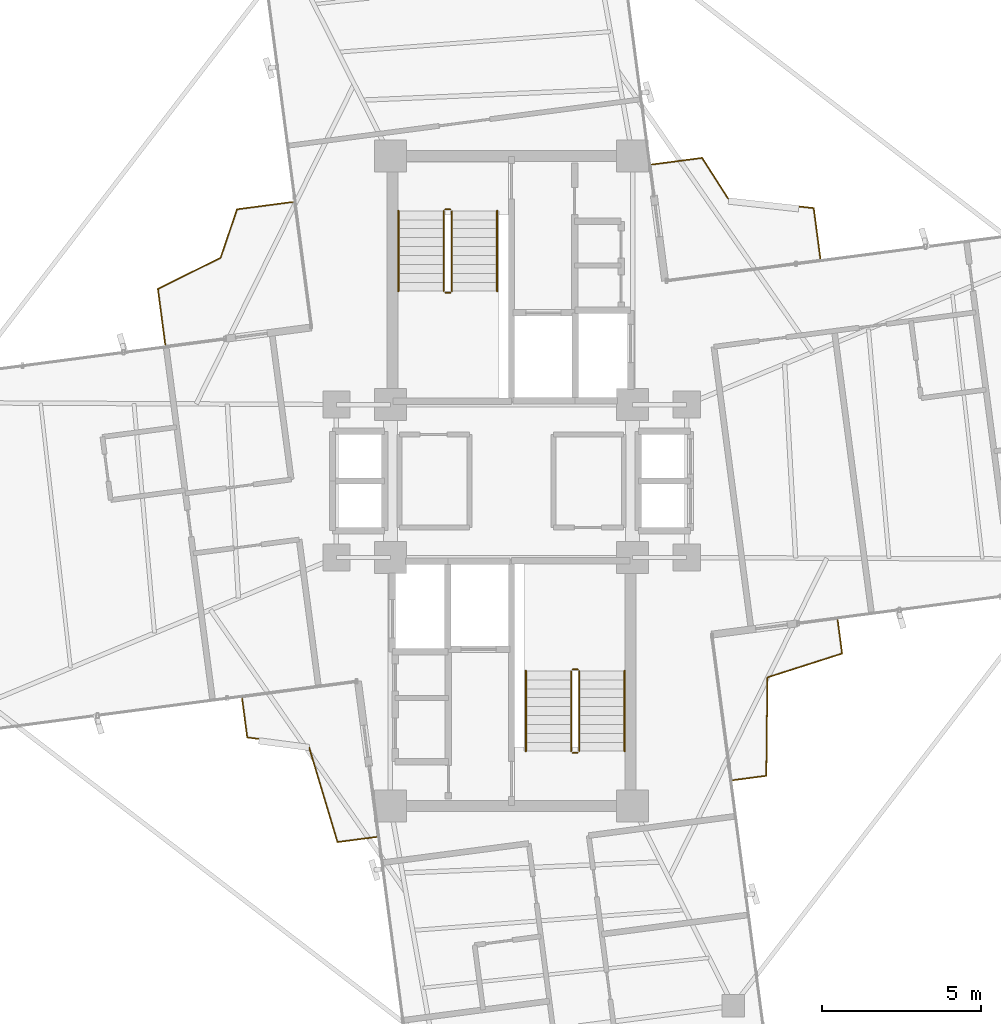
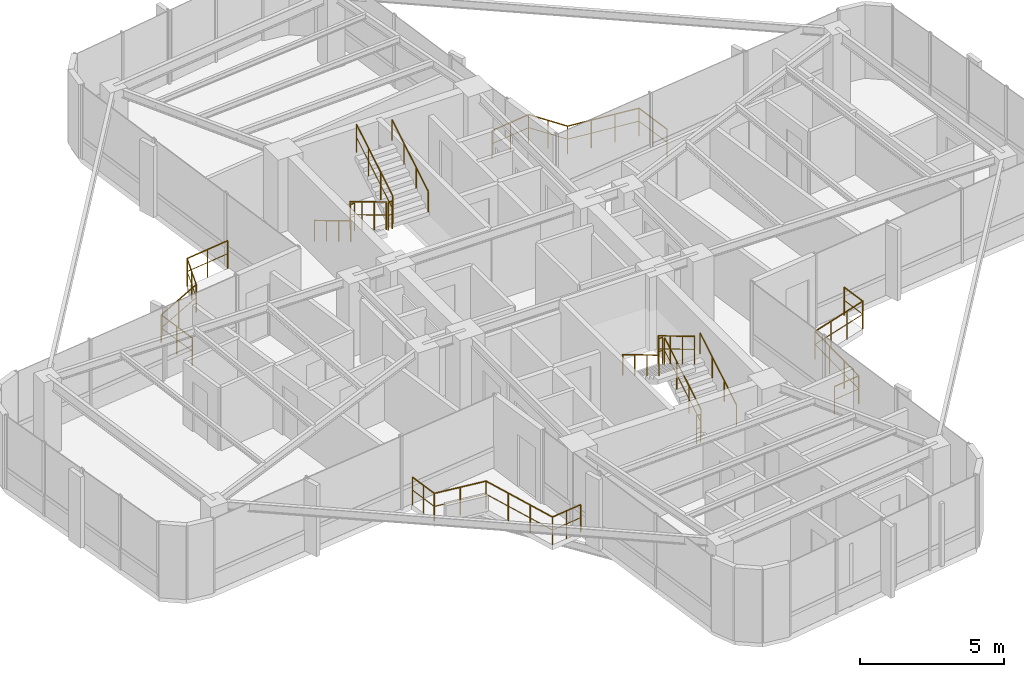
# One storey, part 22 of 22: 16 railings.
"""IFC4 building model written with IfcOpenShell, lengths in metres."""

from ifc_helpers import new_model, si_unit, direction, frame, origin, origin_2d, place, context, subcontext, project, spatial, circle, extrude, material, type_object, element, save


model = new_model("IFC4")

# Units and contexts
model_context = context("Model", 3, precision=1e-05, world=origin(), true_north=direction((0.0, 1.0)))
body_context = subcontext(model_context, "Body", "Model", "MODEL_VIEW")
ifc_project = project(units=[si_unit("LENGTHUNIT", "METRE"), si_unit("AREAUNIT", "SQUARE_METRE"), si_unit("VOLUMEUNIT", "CUBIC_METRE"), si_unit("PLANEANGLEUNIT", "RADIAN"), si_unit("MASSUNIT", "GRAM", prefix="KILO")], contexts=[model_context])

# Site, building, storey
site_placement = place(None, origin())
site = spatial("IfcSite", under=ifc_project, at=site_placement, CompositionType="ELEMENT")
building_placement = place(site_placement, origin())
building = spatial("IfcBuilding", under=site, at=building_placement, Name="Sahyath Konkavel Grand Hotel", CompositionType="ELEMENT")
storey_placement = place(building_placement, frame((0.0, 0.0, 269.10009765625)))
storey = spatial("IfcBuildingStorey", under=building, at=storey_placement, Name="L75", CompositionType="ELEMENT", Elevation=269.10009765625)

# Railings
ifc_material_1 = material(Name="Anodised Bronze Aluminium", Category="aluminium")
railing_type_1 = type_object("IfcRailingType", Name="RLG-BALC-1200", PredefinedType="GUARDRAIL", material=ifc_material_1)
railing_1_placement = place(storey_placement, frame((9.6953125, 6.985107421875, 0.0)))
element("IfcRailing", 1, at=railing_1_placement, inside=storey, type_object=railing_type_1, Name="L75 Winter-Garden Guard NE", PredefinedType="GUARDRAIL", context=body_context, shape_type="SweptSolid", body=[
    extrude(circle(Radius=0.02392578125, at=origin_2d()), frame((-0.000244140625, 0.001953125, 1.17578125), z_axis=(-0.130620685545, 0.991432416511, 0.0), x_axis=(-0.991432416511, -0.130620685545, 0.0)), (0.0, 0.0, 1.0), 1.59228515625),
    extrude(circle(Radius=0.01416015625, at=origin_2d()), frame((-0.000244140625, 0.001953125, 0.6240234375), z_axis=(-0.130620685545, 0.991432416511, 0.0), x_axis=(-0.991432416511, -0.130620685545, 0.0)), (0.0, 0.0, 1.0), 1.59228515625),
    extrude(circle(Radius=0.02392578125, at=origin_2d()), frame((-0.21044921875, 1.582763671875, 1.17578125), z_axis=(-0.993984697871, 0.109519041256, 0.0), x_axis=(-0.109519041256, -0.993984697871, 0.0)), (0.0, 0.0, 1.0), 2.69775390625),
    extrude(circle(Radius=0.01416015625, at=origin_2d()), frame((-0.21044921875, 1.582763671875, 0.6240234375), z_axis=(-0.993984697871, 0.109519041256, 0.0), x_axis=(-0.109519041256, -0.993984697871, 0.0)), (0.0, 0.0, 1.0), 2.69775390625),
    extrude(circle(Radius=0.02392578125, at=origin_2d()), frame((-2.89501953125, 1.880126953125, 1.17578125), z_axis=(-0.53846534855, 0.842647653774, 0.0), x_axis=(-0.842647653774, -0.53846534855, 0.0)), (0.0, 0.0, 1.0), 1.515380859375),
    extrude(circle(Radius=0.01416015625, at=origin_2d()), frame((-2.89501953125, 1.880126953125, 0.6240234375), z_axis=(-0.53846534855, 0.842647653774, 0.0), x_axis=(-0.842647653774, -0.53846534855, 0.0)), (0.0, 0.0, 1.0), 1.515380859375),
    extrude(circle(Radius=0.02392578125, at=origin_2d()), frame((-3.714111328125, 3.158447265625, 1.17578125), z_axis=(-0.991429806292, -0.130640496, 0.0), x_axis=(0.130640496, -0.991429806292, 0.0)), (0.0, 0.0, 1.0), 1.592041015625),
    extrude(circle(Radius=0.01416015625, at=origin_2d()), frame((-3.714111328125, 3.158447265625, 0.6240234375), z_axis=(-0.991429806292, -0.130640496, 0.0), x_axis=(0.130640496, -0.991429806292, 0.0)), (0.0, 0.0, 1.0), 1.592041015625),
    extrude(circle(Radius=0.02099609375, at=origin_2d()), origin(), (0.0, 0.0, 1.0), 1.15185546875),
    extrude(circle(Radius=0.02099609375, at=origin_2d()), frame((-0.104248046875, 0.791259765625, 0.0)), (0.0, 0.0, 1.0), 1.15185546875),
    extrude(circle(Radius=0.02099609375, at=origin_2d()), frame((-0.20849609375, 1.58251953125, 0.0)), (0.0, 0.0, 1.0), 1.15185546875),
    extrude(circle(Radius=0.02099609375, at=origin_2d()), frame((-1.103759765625, 1.68115234375, 0.0)), (0.0, 0.0, 1.0), 1.15185546875),
    extrude(circle(Radius=0.02099609375, at=origin_2d()), frame((-1.998779296875, 1.77978515625, 0.0)), (0.0, 0.0, 1.0), 1.15185546875),
    extrude(circle(Radius=0.02099609375, at=origin_2d()), frame((-2.89404296875, 1.87841796875, 0.0)), (0.0, 0.0, 1.0), 1.15185546875),
    extrude(circle(Radius=0.02099609375, at=origin_2d()), frame((-3.30322265625, 2.5185546875, 0.0)), (0.0, 0.0, 1.0), 1.15185546875),
    extrude(circle(Radius=0.02099609375, at=origin_2d()), frame((-3.712158203125, 3.15869140625, 0.0)), (0.0, 0.0, 1.0), 1.15185546875),
    extrude(circle(Radius=0.02099609375, at=origin_2d()), frame((-4.50341796875, 3.054443359375, 0.0)), (0.0, 0.0, 1.0), 1.15185546875),
    extrude(circle(Radius=0.02099609375, at=origin_2d()), frame((-5.29443359375, 2.9501953125, 0.0)), (0.0, 0.0, 1.0), 1.15185546875),
])
railing_2_placement = place(storey_placement, frame((-6.8623046875, 8.76123046875, 0.0)))
element("IfcRailing", 2, at=railing_2_placement, inside=storey, type_object=railing_type_1, Name="L75 Winter-Garden Guard NW", PredefinedType="GUARDRAIL", context=body_context, shape_type="SweptSolid", body=[
    extrude(circle(Radius=0.02392578125, at=origin_2d()), frame((-0.001953125, -0.000244140625, 1.17578125), z_axis=(-0.991456644398, -0.130436660025, 0.0), x_axis=(0.130436660025, -0.991456644398, 0.0)), (0.0, 0.0, 1.0), 1.764892578125),
    extrude(circle(Radius=0.01416015625, at=origin_2d()), frame((-0.001953125, -0.000244140625, 0.6240234375), z_axis=(-0.991456644398, -0.130436660025, 0.0), x_axis=(0.130436660025, -0.991456644398, 0.0)), (0.0, 0.0, 1.0), 1.764892578125),
    extrude(circle(Radius=0.02392578125, at=origin_2d()), frame((-1.75439453125, -0.232666015625, 1.17578125), z_axis=(-0.321415475844, -0.94693827248, 0.0), x_axis=(0.94693827248, -0.321415475844, 0.0)), (0.0, 0.0, 1.0), 1.60400390625),
    extrude(circle(Radius=0.01416015625, at=origin_2d()), frame((-1.75439453125, -0.232666015625, 0.6240234375), z_axis=(-0.321415475844, -0.94693827248, 0.0), x_axis=(0.94693827248, -0.321415475844, 0.0)), (0.0, 0.0, 1.0), 1.60400390625),
    extrude(circle(Radius=0.02392578125, at=origin_2d()), frame((-2.272216796875, -1.75439453125, 1.17578125), z_axis=(-0.895757176517, -0.444543676953, 0.0), x_axis=(0.444543676953, -0.895757176517, 0.0)), (0.0, 0.0, 1.0), 2.192138671875),
    extrude(circle(Radius=0.01416015625, at=origin_2d()), frame((-2.272216796875, -1.75439453125, 0.6240234375), z_axis=(-0.895757176517, -0.444543676953, 0.0), x_axis=(0.444543676953, -0.895757176517, 0.0)), (0.0, 0.0, 1.0), 2.192138671875),
    extrude(circle(Radius=0.02392578125, at=origin_2d()), frame((-4.237548828125, -2.731689453125, 1.17578125), z_axis=(0.130436660025, -0.991456644398, 0.0), x_axis=(0.991456644398, 0.130436660025, 0.0)), (0.0, 0.0, 1.0), 1.764892578125),
    extrude(circle(Radius=0.01416015625, at=origin_2d()), frame((-4.237548828125, -2.731689453125, 0.6240234375), z_axis=(0.130436660025, -0.991456644398, 0.0), x_axis=(0.991456644398, 0.130436660025, 0.0)), (0.0, 0.0, 1.0), 1.764892578125),
    extrude(circle(Radius=0.02099609375, at=origin_2d()), origin(), (0.0, 0.0, 1.0), 1.15185546875),
    extrude(circle(Radius=0.02099609375, at=origin_2d()), frame((-0.876953125, -0.115234375, 0.0)), (0.0, 0.0, 1.0), 1.15185546875),
    extrude(circle(Radius=0.02099609375, at=origin_2d()), frame((-1.753662109375, -0.230712890625, 0.0)), (0.0, 0.0, 1.0), 1.15185546875),
    extrude(circle(Radius=0.02099609375, at=origin_2d()), frame((-2.01220703125, -0.9921875, 0.0)), (0.0, 0.0, 1.0), 1.15185546875),
    extrude(circle(Radius=0.02099609375, at=origin_2d()), frame((-2.2705078125, -1.75341796875, 0.0)), (0.0, 0.0, 1.0), 1.15185546875),
    extrude(circle(Radius=0.02099609375, at=origin_2d()), frame((-3.254150390625, -2.24169921875, 0.0)), (0.0, 0.0, 1.0), 1.15185546875),
    extrude(circle(Radius=0.02099609375, at=origin_2d()), frame((-4.23779296875, -2.729736328125, 0.0)), (0.0, 0.0, 1.0), 1.15185546875),
    extrude(circle(Radius=0.02099609375, at=origin_2d()), frame((-4.12255859375, -3.6064453125, 0.0)), (0.0, 0.0, 1.0), 1.15185546875),
    extrude(circle(Radius=0.02099609375, at=origin_2d()), frame((-4.007080078125, -4.4833984375, 0.0)), (0.0, 0.0, 1.0), 1.15185546875),
])
railing_3_placement = place(storey_placement, frame((-8.4580078125, -6.822265625, 0.0)))
element("IfcRailing", 3, at=railing_3_placement, inside=storey, type_object=railing_type_1, Name="L75 Winter-Garden Guard SW", PredefinedType="GUARDRAIL", context=body_context, shape_type="SweptSolid", body=[
    extrude(circle(Radius=0.02392578125, at=origin_2d()), frame((0.000244140625, -0.001953125, 1.17578125), z_axis=(0.130740596893, -0.991416610878, 0.0), x_axis=(0.991416610878, 0.130740596893, 0.0)), (0.0, 0.0, 1.0), 1.232177734375),
    extrude(circle(Radius=0.01416015625, at=origin_2d()), frame((0.000244140625, -0.001953125, 0.6240234375), z_axis=(0.130740596893, -0.991416610878, 0.0), x_axis=(0.991416610878, 0.130740596893, 0.0)), (0.0, 0.0, 1.0), 1.232177734375),
    extrude(circle(Radius=0.02392578125, at=origin_2d()), frame((0.16357421875, -1.225830078125, 1.17578125), z_axis=(0.991368946144, -0.131101535543, 0.0), x_axis=(0.131101535543, 0.991368946144, 0.0)), (0.0, 0.0, 1.0), 1.938232421875),
    extrude(circle(Radius=0.01416015625, at=origin_2d()), frame((0.16357421875, -1.225830078125, 0.6240234375), z_axis=(0.991368946144, -0.131101535543, 0.0), x_axis=(0.131101535543, 0.991368946144, 0.0)), (0.0, 0.0, 1.0), 1.938232421875),
    extrude(circle(Radius=0.02392578125, at=origin_2d()), frame((2.087646484375, -1.482177734375, 1.17578125), z_axis=(0.286774501678, -0.957998113353, 0.0), x_axis=(0.957998113353, 0.286774501678, 0.0)), (0.0, 0.0, 1.0), 3.160400390625),
    extrude(circle(Radius=0.01416015625, at=origin_2d()), frame((2.087646484375, -1.482177734375, 0.6240234375), z_axis=(0.286774501678, -0.957998113353, 0.0), x_axis=(0.957998113353, 0.286774501678, 0.0)), (0.0, 0.0, 1.0), 3.160400390625),
    extrude(circle(Radius=0.02392578125, at=origin_2d()), frame((2.99658203125, -4.511474609375, 1.17578125), z_axis=(0.991442191305, 0.130546471803, 0.0), x_axis=(-0.130546471803, 0.991442191305, 0.0)), (0.0, 0.0, 1.0), 1.232177734375),
    extrude(circle(Radius=0.01416015625, at=origin_2d()), frame((2.99658203125, -4.511474609375, 0.6240234375), z_axis=(0.991442191305, 0.130546471803, 0.0), x_axis=(-0.130546471803, 0.991442191305, 0.0)), (0.0, 0.0, 1.0), 1.232177734375),
    extrude(circle(Radius=0.02099609375, at=origin_2d()), origin(), (0.0, 0.0, 1.0), 1.15185546875),
    extrude(circle(Radius=0.02099609375, at=origin_2d()), frame((0.080810546875, -0.61279296875, 0.0)), (0.0, 0.0, 1.0), 1.15185546875),
    extrude(circle(Radius=0.02099609375, at=origin_2d()), frame((0.16162109375, -1.2255859375, 0.0)), (0.0, 0.0, 1.0), 1.15185546875),
    extrude(circle(Radius=0.02099609375, at=origin_2d()), frame((1.12451171875, -1.35302734375, 0.0)), (0.0, 0.0, 1.0), 1.15185546875),
    extrude(circle(Radius=0.02099609375, at=origin_2d()), frame((2.087158203125, -1.480224609375, 0.0)), (0.0, 0.0, 1.0), 1.15185546875),
    extrude(circle(Radius=0.02099609375, at=origin_2d()), frame((2.3896484375, -2.49072265625, 0.0)), (0.0, 0.0, 1.0), 1.15185546875),
    extrude(circle(Radius=0.02099609375, at=origin_2d()), frame((2.692138671875, -3.501220703125, 0.0)), (0.0, 0.0, 1.0), 1.15185546875),
    extrude(circle(Radius=0.02099609375, at=origin_2d()), frame((2.99462890625, -4.51171875, 0.0)), (0.0, 0.0, 1.0), 1.15185546875),
    extrude(circle(Radius=0.02099609375, at=origin_2d()), frame((3.607421875, -4.43115234375, 0.0)), (0.0, 0.0, 1.0), 1.15185546875),
    extrude(circle(Radius=0.02099609375, at=origin_2d()), frame((4.22021484375, -4.350341796875, 0.0)), (0.0, 0.0, 1.0), 1.15185546875),
])
railing_4_placement = place(storey_placement, frame((6.9453125, -9.391845703125, 0.0)))
element("IfcRailing", 4, at=railing_4_placement, inside=storey, type_object=railing_type_1, Name="L75 Winter-Garden Guard SE", PredefinedType="GUARDRAIL", context=body_context, shape_type="SweptSolid", body=[
    extrude(circle(Radius=0.02392578125, at=origin_2d()), frame((0.001953125, 0.000244140625, 1.17578125), z_axis=(0.991429269422, 0.130644570241, 0.0), x_axis=(-0.130644570241, 0.991429269422, 0.0)), (0.0, 0.0, 1.0), 1.059326171875),
    extrude(circle(Radius=0.01416015625, at=origin_2d()), frame((0.001953125, 0.000244140625, 0.6240234375), z_axis=(0.991429269422, 0.130644570241, 0.0), x_axis=(-0.130644570241, 0.991429269422, 0.0)), (0.0, 0.0, 1.0), 1.059326171875),
    extrude(circle(Radius=0.02392578125, at=origin_2d()), frame((1.05419921875, 0.140869140625, 1.17578125), z_axis=(0.010907579674, 0.999940510583, 0.0), x_axis=(-0.999940510583, 0.010907579674, 0.0)), (0.0, 0.0, 1.0), 3.084716796875),
    extrude(circle(Radius=0.01416015625, at=origin_2d()), frame((1.05419921875, 0.140869140625, 0.6240234375), z_axis=(0.010907579674, 0.999940510583, 0.0), x_axis=(-0.999940510583, 0.010907579674, 0.0)), (0.0, 0.0, 1.0), 3.084716796875),
    extrude(circle(Radius=0.02392578125, at=origin_2d()), frame((1.08984375, 3.22802734375, 1.17578125), z_axis=(0.952538100641, 0.304419392988, 0.0), x_axis=(-0.304419392988, 0.952538100641, 0.0)), (0.0, 0.0, 1.0), 2.457275390625),
    extrude(circle(Radius=0.01416015625, at=origin_2d()), frame((1.08984375, 3.22802734375, 0.6240234375), z_axis=(0.952538100641, 0.304419392988, 0.0), x_axis=(-0.304419392988, 0.952538100641, 0.0)), (0.0, 0.0, 1.0), 2.457275390625),
    extrude(circle(Radius=0.02392578125, at=origin_2d()), frame((3.43212890625, 3.978759765625, 1.17578125), z_axis=(-0.130644570241, 0.991429269422, 0.0), x_axis=(-0.991429269422, -0.130644570241, 0.0)), (0.0, 0.0, 1.0), 1.059326171875),
    extrude(circle(Radius=0.01416015625, at=origin_2d()), frame((3.43212890625, 3.978759765625, 0.6240234375), z_axis=(-0.130644570241, 0.991429269422, 0.0), x_axis=(-0.991429269422, -0.130644570241, 0.0)), (0.0, 0.0, 1.0), 1.059326171875),
    extrude(circle(Radius=0.02099609375, at=origin_2d()), origin(), (0.0, 0.0, 1.0), 1.15185546875),
    extrude(circle(Radius=0.02099609375, at=origin_2d()), frame((1.05419921875, 0.138916015625, 0.0)), (0.0, 0.0, 1.0), 1.15185546875),
    extrude(circle(Radius=0.02099609375, at=origin_2d()), frame((1.0654296875, 1.16845703125, 0.0)), (0.0, 0.0, 1.0), 1.15185546875),
    extrude(circle(Radius=0.02099609375, at=origin_2d()), frame((1.07666015625, 2.197998046875, 0.0)), (0.0, 0.0, 1.0), 1.15185546875),
    extrude(circle(Radius=0.02099609375, at=origin_2d()), frame((1.087890625, 3.2275390625, 0.0)), (0.0, 0.0, 1.0), 1.15185546875),
    extrude(circle(Radius=0.02099609375, at=origin_2d()), frame((1.869384765625, 3.477294921875, 0.0)), (0.0, 0.0, 1.0), 1.15185546875),
    extrude(circle(Radius=0.02099609375, at=origin_2d()), frame((2.65087890625, 3.72705078125, 0.0)), (0.0, 0.0, 1.0), 1.15185546875),
    extrude(circle(Radius=0.02099609375, at=origin_2d()), frame((3.432373046875, 3.976806640625, 0.0)), (0.0, 0.0, 1.0), 1.15185546875),
    extrude(circle(Radius=0.02099609375, at=origin_2d()), frame((3.29345703125, 5.031005859375, 0.0)), (0.0, 0.0, 1.0), 1.15185546875),
])
ifc_material_2 = material(Name="Steel E350", Category="steel")
railing_type_2 = type_object("IfcRailingType", Name="RLG-STAIR-GRD", PredefinedType="GUARDRAIL", material=ifc_material_2)
railing_5_placement = place(storey_placement, frame((-2.1298828125, 8.47998046875, 0.16748046875)))
element("IfcRailing", 5, at=railing_5_placement, inside=storey, type_object=railing_type_2, Name="L75 ST-1 stair guard 1", PredefinedType="GUARDRAIL", context=body_context, shape_type="SweptSolid", body=[
    extrude(circle(Radius=0.02392578125, at=origin_2d()), frame((0.0, -0.001708984375, 1.177001953125), z_axis=(0.0, -0.858196387827, 0.513321497621), x_axis=(1.0, 0.0, 0.0)), (0.0, 0.0, 1.0), 2.932373046875),
    extrude(circle(Radius=0.01416015625, at=origin_2d()), frame((0.0, -0.001708984375, 0.625), z_axis=(0.0, -0.858196387827, 0.513321497621), x_axis=(1.0, 0.0, 0.0)), (0.0, 0.0, 1.0), 2.932373046875),
    extrude(circle(Radius=0.02099609375, at=origin_2d()), origin(), (0.0, 0.0, 1.0), 1.15185546875),
    extrude(circle(Radius=0.02099609375, at=origin_2d()), frame((0.0, -0.840087890625, 0.50244140625)), (0.0, 0.0, 1.0), 1.15185546875),
    extrude(circle(Radius=0.02099609375, at=origin_2d()), frame((0.0, -1.679931640625, 1.0048828125)), (0.0, 0.0, 1.0), 1.15185546875),
    extrude(circle(Radius=0.02099609375, at=origin_2d()), frame((0.0, -2.52001953125, 1.50732421875)), (0.0, 0.0, 1.0), 1.15185546875),
])
railing_6_placement = place(storey_placement, frame((-2.080078125, 5.909912109375, 1.6748046875)))
element("IfcRailing", 6, at=railing_6_placement, inside=storey, type_object=railing_type_2, Name="L75 ST-1 stair guard 2", PredefinedType="GUARDRAIL", context=body_context, shape_type="SweptSolid", body=[
    extrude(circle(Radius=0.02392578125, at=origin_2d()), frame((0.001953125, 0.0, 1.17578125), z_axis=(1.0, 0.0, 0.0), x_axis=(0.0, 1.0, 0.0)), (0.0, 0.0, 1.0), 0.15625),
    extrude(circle(Radius=0.01416015625, at=origin_2d()), frame((0.001953125, 0.0, 0.6240234375), z_axis=(1.0, 0.0, 0.0), x_axis=(0.0, 1.0, 0.0)), (0.0, 0.0, 1.0), 0.15625),
    extrude(circle(Radius=0.02099609375, at=origin_2d()), origin(), (0.0, 0.0, 1.0), 1.15185546875),
    extrude(circle(Radius=0.02099609375, at=origin_2d()), frame((0.16015625, 0.0, 0.0)), (0.0, 0.0, 1.0), 1.15185546875),
])
railing_7_placement = place(storey_placement, frame((-1.8701171875, 5.9599609375, 1.84228515625)))
element("IfcRailing", 7, at=railing_7_placement, inside=storey, type_object=railing_type_2, Name="L75 ST-1 stair guard 3", PredefinedType="GUARDRAIL", context=body_context, shape_type="SweptSolid", body=[
    extrude(circle(Radius=0.02392578125, at=origin_2d()), frame((0.0, 0.001708984375, 1.177001953125), z_axis=(0.0, 0.858159760407, 0.513382728203), x_axis=(-1.0, 0.0, 0.0)), (0.0, 0.0, 1.0), 2.9326171875),
    extrude(circle(Radius=0.01416015625, at=origin_2d()), frame((0.0, 0.001708984375, 0.625), z_axis=(0.0, 0.858159760407, 0.513382728203), x_axis=(-1.0, 0.0, 0.0)), (0.0, 0.0, 1.0), 2.9326171875),
    extrude(circle(Radius=0.02099609375, at=origin_2d()), origin(), (0.0, 0.0, 1.0), 1.15185546875),
    extrude(circle(Radius=0.02099609375, at=origin_2d()), frame((0.0, 0.840087890625, 0.50244140625)), (0.0, 0.0, 1.0), 1.15185546875),
    extrude(circle(Radius=0.02099609375, at=origin_2d()), frame((0.0, 1.679931640625, 1.005126953125)), (0.0, 0.0, 1.0), 1.15185546875),
    extrude(circle(Radius=0.02099609375, at=origin_2d()), frame((0.0, 2.52001953125, 1.507568359375)), (0.0, 0.0, 1.0), 1.15185546875),
])
railing_8_placement = place(storey_placement, frame((-2.080078125, 8.530029296875, 0.0)))
element("IfcRailing", 8, at=railing_8_placement, inside=storey, type_object=railing_type_2, Name="L75 ST-1 stair guard 4", PredefinedType="GUARDRAIL", context=body_context, shape_type="SweptSolid", body=[
    extrude(circle(Radius=0.02392578125, at=origin_2d()), frame((0.001953125, 0.0, 1.17578125), z_axis=(1.0, 0.0, 0.0), x_axis=(0.0, 1.0, 0.0)), (0.0, 0.0, 1.0), 0.15625),
    extrude(circle(Radius=0.01416015625, at=origin_2d()), frame((0.001953125, 0.0, 0.6240234375), z_axis=(1.0, 0.0, 0.0), x_axis=(0.0, 1.0, 0.0)), (0.0, 0.0, 1.0), 0.15625),
    extrude(circle(Radius=0.02099609375, at=origin_2d()), origin(), (0.0, 0.0, 1.0), 1.15185546875),
    extrude(circle(Radius=0.02099609375, at=origin_2d()), frame((0.16015625, 0.0, 0.0)), (0.0, 0.0, 1.0), 1.15185546875),
])
railing_9_placement = place(storey_placement, frame((2.1298828125, -8.47998046875, 0.16748046875)))
element("IfcRailing", 9, at=railing_9_placement, inside=storey, type_object=railing_type_2, Name="L75 ST-2 stair guard 1", PredefinedType="GUARDRAIL", context=body_context, shape_type="SweptSolid", body=[
    extrude(circle(Radius=0.02392578125, at=origin_2d()), frame((0.0, 0.001708984375, 1.177001953125), z_axis=(0.0, 0.858196387827, 0.513321497621), x_axis=(-1.0, 0.0, 0.0)), (0.0, 0.0, 1.0), 2.932373046875),
    extrude(circle(Radius=0.01416015625, at=origin_2d()), frame((0.0, 0.001708984375, 0.625), z_axis=(0.0, 0.858196387827, 0.513321497621), x_axis=(-1.0, 0.0, 0.0)), (0.0, 0.0, 1.0), 2.932373046875),
    extrude(circle(Radius=0.02099609375, at=origin_2d()), origin(), (0.0, 0.0, 1.0), 1.15185546875),
    extrude(circle(Radius=0.02099609375, at=origin_2d()), frame((0.0, 0.840087890625, 0.50244140625)), (0.0, 0.0, 1.0), 1.15185546875),
    extrude(circle(Radius=0.02099609375, at=origin_2d()), frame((0.0, 1.679931640625, 1.0048828125)), (0.0, 0.0, 1.0), 1.15185546875),
    extrude(circle(Radius=0.02099609375, at=origin_2d()), frame((0.0, 2.52001953125, 1.50732421875)), (0.0, 0.0, 1.0), 1.15185546875),
])
railing_10_placement = place(storey_placement, frame((2.080078125, -5.909912109375, 1.6748046875)))
element("IfcRailing", 10, at=railing_10_placement, inside=storey, type_object=railing_type_2, Name="L75 ST-2 stair guard 2", PredefinedType="GUARDRAIL", context=body_context, shape_type="SweptSolid", body=[
    extrude(circle(Radius=0.02392578125, at=origin_2d()), frame((-0.001953125, 0.0, 1.17578125), z_axis=(-1.0, 0.0, 0.0), x_axis=(0.0, -1.0, 0.0)), (0.0, 0.0, 1.0), 0.15625),
    extrude(circle(Radius=0.01416015625, at=origin_2d()), frame((-0.001953125, 0.0, 0.6240234375), z_axis=(-1.0, 0.0, 0.0), x_axis=(0.0, -1.0, 0.0)), (0.0, 0.0, 1.0), 0.15625),
    extrude(circle(Radius=0.02099609375, at=origin_2d()), origin(), (0.0, 0.0, 1.0), 1.15185546875),
    extrude(circle(Radius=0.02099609375, at=origin_2d()), frame((-0.16015625, 0.0, 0.0)), (0.0, 0.0, 1.0), 1.15185546875),
])
railing_11_placement = place(storey_placement, frame((1.8701171875, -5.9599609375, 1.84228515625)))
element("IfcRailing", 11, at=railing_11_placement, inside=storey, type_object=railing_type_2, Name="L75 ST-2 stair guard 3", PredefinedType="GUARDRAIL", context=body_context, shape_type="SweptSolid", body=[
    extrude(circle(Radius=0.02392578125, at=origin_2d()), frame((0.0, -0.001708984375, 1.177001953125), z_axis=(0.0, -0.858159760407, 0.513382728203), x_axis=(1.0, 0.0, 0.0)), (0.0, 0.0, 1.0), 2.9326171875),
    extrude(circle(Radius=0.01416015625, at=origin_2d()), frame((0.0, -0.001708984375, 0.625), z_axis=(0.0, -0.858159760407, 0.513382728203), x_axis=(1.0, 0.0, 0.0)), (0.0, 0.0, 1.0), 2.9326171875),
    extrude(circle(Radius=0.02099609375, at=origin_2d()), origin(), (0.0, 0.0, 1.0), 1.15185546875),
    extrude(circle(Radius=0.02099609375, at=origin_2d()), frame((0.0, -0.840087890625, 0.50244140625)), (0.0, 0.0, 1.0), 1.15185546875),
    extrude(circle(Radius=0.02099609375, at=origin_2d()), frame((0.0, -1.679931640625, 1.005126953125)), (0.0, 0.0, 1.0), 1.15185546875),
    extrude(circle(Radius=0.02099609375, at=origin_2d()), frame((0.0, -2.52001953125, 1.507568359375)), (0.0, 0.0, 1.0), 1.15185546875),
])
railing_12_placement = place(storey_placement, frame((2.080078125, -8.530029296875, 0.0)))
element("IfcRailing", 12, at=railing_12_placement, inside=storey, type_object=railing_type_2, Name="L75 ST-2 stair guard 4", PredefinedType="GUARDRAIL", context=body_context, shape_type="SweptSolid", body=[
    extrude(circle(Radius=0.02392578125, at=origin_2d()), frame((-0.001953125, 0.0, 1.17578125), z_axis=(-1.0, 0.0, 0.0), x_axis=(0.0, -1.0, 0.0)), (0.0, 0.0, 1.0), 0.15625),
    extrude(circle(Radius=0.01416015625, at=origin_2d()), frame((-0.001953125, 0.0, 0.6240234375), z_axis=(-1.0, 0.0, 0.0), x_axis=(0.0, -1.0, 0.0)), (0.0, 0.0, 1.0), 0.15625),
    extrude(circle(Radius=0.02099609375, at=origin_2d()), origin(), (0.0, 0.0, 1.0), 1.15185546875),
    extrude(circle(Radius=0.02099609375, at=origin_2d()), frame((-0.16015625, 0.0, 0.0)), (0.0, 0.0, 1.0), 1.15185546875),
])
railing_type_3 = type_object("IfcRailingType", Name="RLG-STAIR-HND", PredefinedType="HANDRAIL", material=ifc_material_1)
railing_13_placement = place(storey_placement, frame((-3.550048828125, 8.47998046875, 0.16748046875)))
element("IfcRailing", 13, at=railing_13_placement, inside=storey, type_object=railing_type_3, Name="L75 ST-1 stair handrail 1", PredefinedType="HANDRAIL", context=body_context, shape_type="SweptSolid", body=[
    extrude(circle(Radius=0.02392578125, at=origin_2d()), frame((0.0, -0.001708984375, 0.876953125), z_axis=(0.0, -0.858196387827, 0.513321497621), x_axis=(1.0, 0.0, 0.0)), (0.0, 0.0, 1.0), 2.932373046875),
    extrude(circle(Radius=0.02099609375, at=origin_2d()), origin(), (0.0, 0.0, 1.0), 0.851806640625),
    extrude(circle(Radius=0.02099609375, at=origin_2d()), frame((0.0, -0.840087890625, 0.50244140625)), (0.0, 0.0, 1.0), 0.851806640625),
    extrude(circle(Radius=0.02099609375, at=origin_2d()), frame((0.0, -1.679931640625, 1.0048828125)), (0.0, 0.0, 1.0), 0.851806640625),
    extrude(circle(Radius=0.02099609375, at=origin_2d()), frame((0.0, -2.52001953125, 1.50732421875)), (0.0, 0.0, 1.0), 0.851806640625),
])
railing_14_placement = place(storey_placement, frame((-0.449951171875, 5.9599609375, 1.84228515625)))
element("IfcRailing", 14, at=railing_14_placement, inside=storey, type_object=railing_type_3, Name="L75 ST-1 stair handrail 2", PredefinedType="HANDRAIL", context=body_context, shape_type="SweptSolid", body=[
    extrude(circle(Radius=0.02392578125, at=origin_2d()), frame((0.0, 0.001708984375, 0.876953125), z_axis=(0.0, 0.858159760407, 0.513382728203), x_axis=(-1.0, 0.0, 0.0)), (0.0, 0.0, 1.0), 2.9326171875),
    extrude(circle(Radius=0.02099609375, at=origin_2d()), origin(), (0.0, 0.0, 1.0), 0.851806640625),
    extrude(circle(Radius=0.02099609375, at=origin_2d()), frame((0.0, 0.840087890625, 0.50244140625)), (0.0, 0.0, 1.0), 0.851806640625),
    extrude(circle(Radius=0.02099609375, at=origin_2d()), frame((0.0, 1.679931640625, 1.005126953125)), (0.0, 0.0, 1.0), 0.851806640625),
    extrude(circle(Radius=0.02099609375, at=origin_2d()), frame((0.0, 2.52001953125, 1.507568359375)), (0.0, 0.0, 1.0), 0.851806640625),
])
railing_15_placement = place(storey_placement, frame((3.550048828125, -8.47998046875, 0.16748046875)))
element("IfcRailing", 15, at=railing_15_placement, inside=storey, type_object=railing_type_3, Name="L75 ST-2 stair handrail 1", PredefinedType="HANDRAIL", context=body_context, shape_type="SweptSolid", body=[
    extrude(circle(Radius=0.02392578125, at=origin_2d()), frame((0.0, 0.001708984375, 0.876953125), z_axis=(0.0, 0.858196387827, 0.513321497621), x_axis=(-1.0, 0.0, 0.0)), (0.0, 0.0, 1.0), 2.932373046875),
    extrude(circle(Radius=0.02099609375, at=origin_2d()), origin(), (0.0, 0.0, 1.0), 0.851806640625),
    extrude(circle(Radius=0.02099609375, at=origin_2d()), frame((0.0, 0.840087890625, 0.50244140625)), (0.0, 0.0, 1.0), 0.851806640625),
    extrude(circle(Radius=0.02099609375, at=origin_2d()), frame((0.0, 1.679931640625, 1.0048828125)), (0.0, 0.0, 1.0), 0.851806640625),
    extrude(circle(Radius=0.02099609375, at=origin_2d()), frame((0.0, 2.52001953125, 1.50732421875)), (0.0, 0.0, 1.0), 0.851806640625),
])
railing_16_placement = place(storey_placement, frame((0.449951171875, -5.9599609375, 1.84228515625)))
element("IfcRailing", 16, at=railing_16_placement, inside=storey, type_object=railing_type_3, Name="L75 ST-2 stair handrail 2", PredefinedType="HANDRAIL", context=body_context, shape_type="SweptSolid", body=[
    extrude(circle(Radius=0.02392578125, at=origin_2d()), frame((0.0, -0.001708984375, 0.876953125), z_axis=(0.0, -0.858159760407, 0.513382728203), x_axis=(1.0, 0.0, 0.0)), (0.0, 0.0, 1.0), 2.9326171875),
    extrude(circle(Radius=0.02099609375, at=origin_2d()), origin(), (0.0, 0.0, 1.0), 0.851806640625),
    extrude(circle(Radius=0.02099609375, at=origin_2d()), frame((0.0, -0.840087890625, 0.50244140625)), (0.0, 0.0, 1.0), 0.851806640625),
    extrude(circle(Radius=0.02099609375, at=origin_2d()), frame((0.0, -1.679931640625, 1.005126953125)), (0.0, 0.0, 1.0), 0.851806640625),
    extrude(circle(Radius=0.02099609375, at=origin_2d()), frame((0.0, -2.52001953125, 1.507568359375)), (0.0, 0.0, 1.0), 0.851806640625),
])

save(model, "model.ifc")
